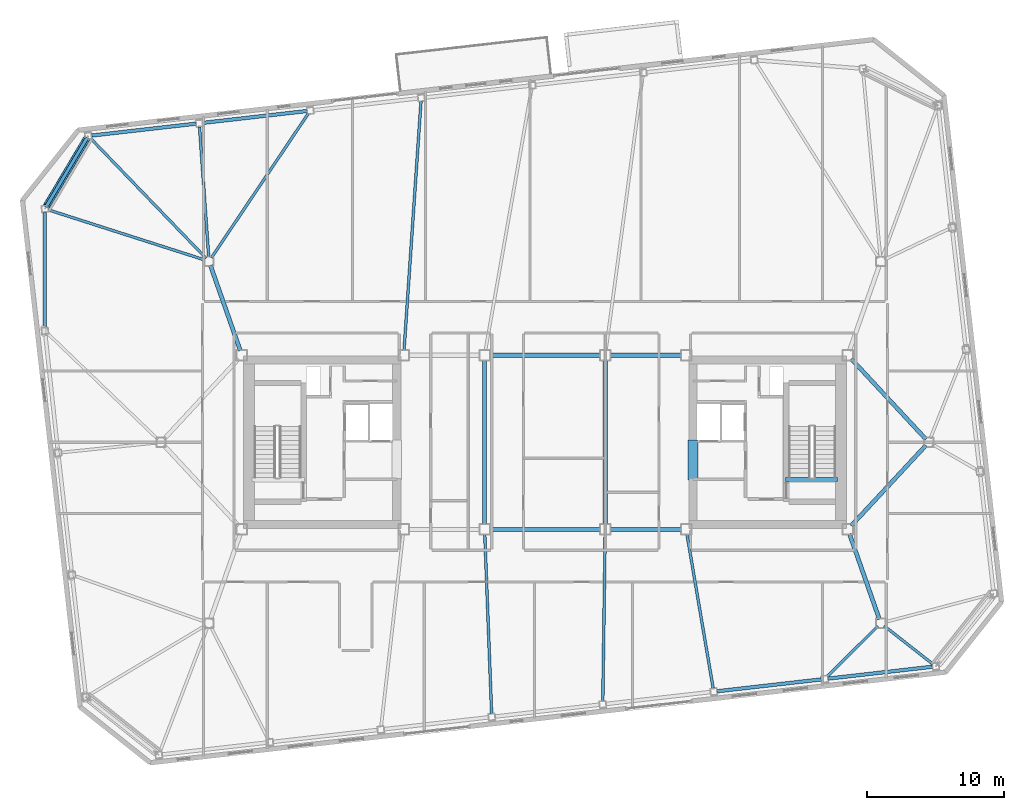
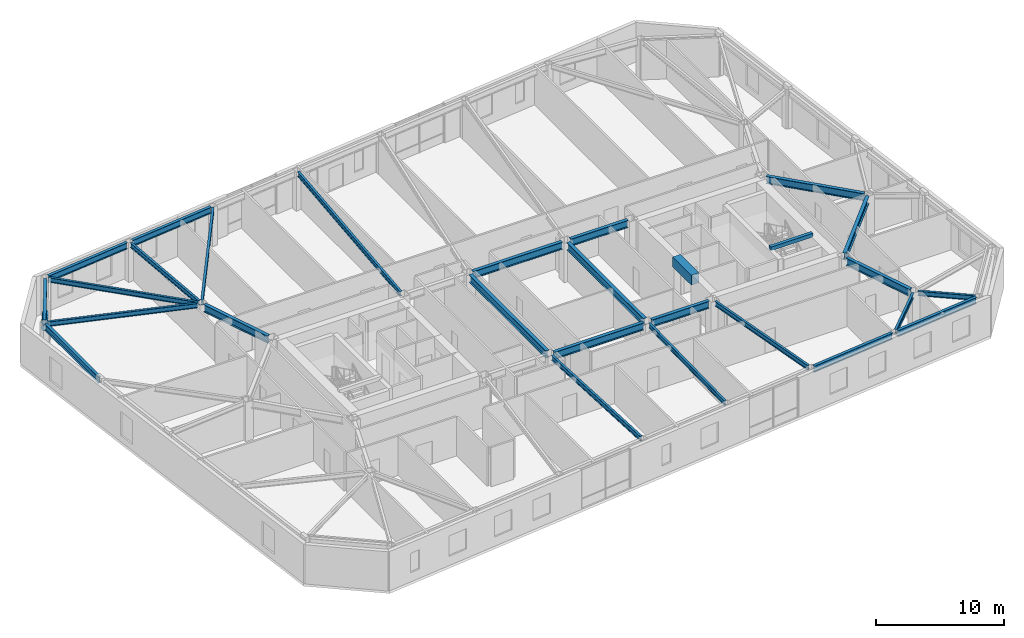
# One storey, part 7 of 20: 28 beams, 1 member.
"""IFC4 building model written with IfcOpenShell, lengths in metres."""

from ifc_helpers import new_model, si_unit, direction, frame, origin, origin_2d, place, context, subcontext, project, spatial, rectangle, hollow_circle, i_section, extrude, material, material_profile, profile_set, type_object, element, save


model = new_model("IFC4")

# Units and contexts
model_context = context("Model", 3, precision=1e-05, world=origin(), true_north=direction((0.0, 1.0)))
body_context = subcontext(model_context, "Body", "Model", "MODEL_VIEW")
ifc_project = project(units=[si_unit("LENGTHUNIT", "METRE"), si_unit("AREAUNIT", "SQUARE_METRE"), si_unit("VOLUMEUNIT", "CUBIC_METRE"), si_unit("PLANEANGLEUNIT", "RADIAN"), si_unit("MASSUNIT", "GRAM", prefix="KILO")], contexts=[model_context])

# Site, building, storey
site_placement = place(None, origin())
site = spatial("IfcSite", under=ifc_project, at=site_placement, CompositionType="ELEMENT")
building_placement = place(site_placement, origin())
building = spatial("IfcBuilding", under=site, at=building_placement, Name="Tavrogorsk Clinical Tower", CompositionType="ELEMENT")
storey_placement = place(building_placement, frame((0.0, 0.0, 251.0)))
storey = spatial("IfcBuildingStorey", under=building, at=storey_placement, Name="L58", CompositionType="ELEMENT", Elevation=251.0)

# Beam
ifc_material_1 = material(Name="Concrete B80", Category="concrete")
ifc_material_profile_1 = material_profile(ifc_material_1, rectangle(XDim=0.699951171875, YDim=0.949951171875, at=origin_2d()), Name="RC-CB-700x950")
ifc_profile_set_1 = profile_set([ifc_material_profile_1], Name="Concrete B80")
beam_type_1 = type_object("IfcBeamType", Name="CouplingBeam_RC700x950", PredefinedType="LINTEL", material=ifc_profile_set_1)
beam_1_placement = place(storey_placement, frame((10.800048828125, -2.75, 3.264892578125), z_axis=(0.0, 1.0, 0.0), x_axis=(-1.0, 0.0, 0.0)))
element("IfcBeam", 1, at=beam_1_placement, inside=storey, type_object=beam_type_1, Name="L58 Core East Coupling Beam", PredefinedType="LINTEL", context=body_context, shape_type="SweptSolid", body=[
    extrude(rectangle(XDim=0.699951171875, YDim=0.949951171875, at=origin_2d()), origin(), (0.0, 0.0, 1.0), 2.89990234375),
])

# Member
ifc_material_2 = material(Name="Structural steel S440", Category="steel")
ifc_material_profile_2 = material_profile(ifc_material_2, hollow_circle(Radius=0.25390625, WallThickness=0.02001953125, at=origin_2d()), Name="CHS-508x20")
ifc_profile_set_2 = profile_set([ifc_material_profile_2], Name="Structural steel S440")
member_type = type_object("IfcMemberType", Name="ExoBrace_CHS508", PredefinedType="BRACE", material=ifc_profile_set_2)
member_placement = place(storey_placement, frame((-33.428955078125, 22.143310546875, 0.40625), z_axis=(-0.466115044739, -0.783286774864, 0.411337566228), x_axis=(0.859354157364, -0.511380907173, 0.0)))
element("IfcMember", 2, at=member_placement, inside=storey, type_object=member_type, Name="L58 Corner Exoskeleton Brace N8-W1", PredefinedType="BRACE", context=body_context, shape_type="SweptSolid", body=[
    extrude(hollow_circle(Radius=0.25390625, WallThickness=0.02001953125, at=origin_2d()), origin(), (0.0, 0.0, 1.0), 6.266357421875),
])

# Beams
ifc_material_3 = material(Name="Structural steel S355", Category="steel")
ifc_material_profile_3 = material_profile(ifc_material_3, i_section(OverallWidth=0.199951171875, OverallDepth=0.449951171875, WebThickness=0.011474609375, FlangeThickness=0.01806640625, at=origin_2d()), Name="B-450x200x11.5x18")
ifc_profile_set_3 = profile_set([ifc_material_profile_3], Name="Structural steel S355")
beam_type_2 = type_object("IfcBeamType", Name="FloorBeam_B450", PredefinedType="BEAM", material=ifc_profile_set_3)
beam_2_placement = place(storey_placement, frame((-4.38623046875, -6.709716796875, 3.514892578125), z_axis=(0.038253158264, -0.999268080088, 0.0), x_axis=(0.999268080088, 0.038253158264, 0.0)))
element("IfcBeam", 3, at=beam_2_placement, inside=storey, type_object=beam_type_2, Name="L58 Radial Floor Beam S4", PredefinedType="BEAM", context=body_context, shape_type="SweptSolid", body=[
    extrude(i_section(OverallWidth=0.199951171875, OverallDepth=0.449951171875, WebThickness=0.011474609375, FlangeThickness=0.01806640625, at=origin_2d()), origin(), (0.0, 0.0, 1.0), 13.0771484375),
])
beam_3_placement = place(storey_placement, frame((4.39501953125, -6.7099609375, 3.514892578125), z_axis=(-0.014110566079, -0.999900441006, 0.0), x_axis=(0.999900441006, -0.014110566079, 0.0)))
element("IfcBeam", 4, at=beam_3_placement, inside=storey, type_object=beam_type_2, Name="L58 Radial Floor Beam S5", PredefinedType="BEAM", context=body_context, shape_type="SweptSolid", body=[
    extrude(i_section(OverallWidth=0.199951171875, OverallDepth=0.449951171875, WebThickness=0.011474609375, FlangeThickness=0.01806640625, at=origin_2d()), origin(), (0.0, 0.0, 1.0), 12.14599609375),
])
beam_4_placement = place(storey_placement, frame((10.3603515625, -6.704833984375, 3.514892578125), z_axis=(0.167876447446, -0.98580804338, 0.0), x_axis=(0.98580804338, 0.167876447446, 0.0)))
element("IfcBeam", 5, at=beam_4_placement, inside=storey, type_object=beam_type_2, Name="L58 Radial Floor Beam S6", PredefinedType="BEAM", context=body_context, shape_type="SweptSolid", body=[
    extrude(i_section(OverallWidth=0.199951171875, OverallDepth=0.449951171875, WebThickness=0.011474609375, FlangeThickness=0.01806640625, at=origin_2d()), origin(), (0.0, 0.0, 1.0), 11.392822265625),
])
beam_5_placement = place(storey_placement, frame((24.2802734375, -13.418701171875, 3.514892578125), z_axis=(-0.708842234901, -0.705367057652, 0.0), x_axis=(0.705367057652, -0.708842234901, 0.0)))
element("IfcBeam", 6, at=beam_5_placement, inside=storey, type_object=beam_type_2, Name="L58 Radial Floor Beam S7", PredefinedType="BEAM", context=body_context, shape_type="SweptSolid", body=[
    extrude(i_section(OverallWidth=0.199951171875, OverallDepth=0.449951171875, WebThickness=0.011474609375, FlangeThickness=0.01806640625, at=origin_2d()), origin(), (0.0, 0.0, 1.0), 5.19873046875),
])
beam_6_placement = place(storey_placement, frame((24.743896484375, -13.391357421875, 3.514892578125), z_axis=(0.786731711527, -0.617295078611, 0.0), x_axis=(0.617295078611, 0.786731711527, 0.0)))
element("IfcBeam", 7, at=beam_6_placement, inside=storey, type_object=beam_type_2, Name="L58 Radial Floor Beam S8", PredefinedType="BEAM", context=body_context, shape_type="SweptSolid", body=[
    extrude(i_section(OverallWidth=0.199951171875, OverallDepth=0.449951171875, WebThickness=0.011474609375, FlangeThickness=0.01806640625, at=origin_2d()), origin(), (0.0, 0.0, 1.0), 4.52734375),
])
beam_7_placement = place(storey_placement, frame((-10.275390625, 6.709228515625, 3.514892578125), z_axis=(0.068054861188, 0.9976815804, 0.0), x_axis=(-0.9976815804, 0.068054861188, 0.0)))
element("IfcBeam", 8, at=beam_7_placement, inside=storey, type_object=beam_type_2, Name="L58 Radial Floor Beam N5", PredefinedType="BEAM", context=body_context, shape_type="SweptSolid", body=[
    extrude(i_section(OverallWidth=0.199951171875, OverallDepth=0.449951171875, WebThickness=0.011474609375, FlangeThickness=0.01806640625, at=origin_2d()), origin(), (0.0, 0.0, 1.0), 18.188232421875),
])
beam_8_placement = place(storey_placement, frame((-24.3271484375, 13.457275390625, 3.514892578125), z_axis=(0.557666552953, 0.830065067159, 0.0), x_axis=(-0.830065067159, 0.557666552953, 0.0)))
element("IfcBeam", 9, at=beam_8_placement, inside=storey, type_object=beam_type_2, Name="L58 Radial Floor Beam N6", PredefinedType="BEAM", context=body_context, shape_type="SweptSolid", body=[
    extrude(i_section(OverallWidth=0.199951171875, OverallDepth=0.449951171875, WebThickness=0.011474609375, FlangeThickness=0.01806640625, at=origin_2d()), origin(), (0.0, 0.0, 1.0), 12.67236328125),
])
beam_9_placement = place(storey_placement, frame((-24.52197265625, 13.50927734375, 3.514892578125), z_axis=(-0.070563956086, 0.997507257167, 0.0), x_axis=(-0.997507257167, -0.070563956086, 0.0)))
element("IfcBeam", 10, at=beam_9_placement, inside=storey, type_object=beam_type_2, Name="L58 Radial Floor Beam N7", PredefinedType="BEAM", context=body_context, shape_type="SweptSolid", body=[
    extrude(i_section(OverallWidth=0.199951171875, OverallDepth=0.449951171875, WebThickness=0.011474609375, FlangeThickness=0.01806640625, at=origin_2d()), origin(), (0.0, 0.0, 1.0), 9.52490234375),
])
beam_10_placement = place(storey_placement, frame((-24.715087890625, 13.42333984375, 3.514892578125), z_axis=(-0.69371826835, 0.720246460704, 0.0), x_axis=(-0.720246460704, -0.69371826835, 0.0)))
element("IfcBeam", 11, at=beam_10_placement, inside=storey, type_object=beam_type_2, Name="L58 Radial Floor Beam N8", PredefinedType="BEAM", context=body_context, shape_type="SweptSolid", body=[
    extrude(i_section(OverallWidth=0.199951171875, OverallDepth=0.449951171875, WebThickness=0.011474609375, FlangeThickness=0.01806640625, at=origin_2d()), origin(), (0.0, 0.0, 1.0), 12.129638671875),
])
beam_11_placement = place(storey_placement, frame((-24.795166015625, 13.29443359375, 3.514892578125), z_axis=(-0.952367912824, 0.304951403709, 0.0), x_axis=(-0.304951403709, -0.952367912824, 0.0)))
element("IfcBeam", 12, at=beam_11_placement, inside=storey, type_object=beam_type_2, Name="L58 Radial Floor Beam W1", PredefinedType="BEAM", context=body_context, shape_type="SweptSolid", body=[
    extrude(i_section(OverallWidth=0.199951171875, OverallDepth=0.449951171875, WebThickness=0.011474609375, FlangeThickness=0.01806640625, at=origin_2d()), origin(), (0.0, 0.0, 1.0), 12.000732421875),
])
ifc_material_4 = material(Name="Structural steel S390", Category="steel")
ifc_material_profile_4 = material_profile(ifc_material_4, i_section(OverallWidth=0.300048828125, OverallDepth=0.699951171875, WebThickness=0.01708984375, FlangeThickness=0.028076171875, at=origin_2d()), Name="B-700x300x17x28")
ifc_profile_set_4 = profile_set([ifc_material_profile_4], Name="Structural steel S390")
beam_type_3 = type_object("IfcBeamType", Name="PrimaryGirder_B700", PredefinedType="USERDEFINED", material=ifc_profile_set_4)
for number, where, z_axis, x_axis, name in (
    (13, (-4.0400390625, -6.35009765625, 3.389892578125), (1.0, 0.0, 0.0), (0.0, 1.0, 0.0), "L58 Primary Spine Girder MG-03"),
    (14, (-4.0400390625, 6.35009765625, 3.389892578125), (1.0, 0.0, 0.0), (0.0, 1.0, 0.0), "L58 Primary Spine Girder MG-04"),
):
    element("IfcBeam", number, at=place(storey_placement, frame(where, z_axis=z_axis, x_axis=x_axis)), inside=storey, type_object=beam_type_3, Name=name, ObjectType="GIRDER", PredefinedType="USERDEFINED", context=body_context, shape_type="SweptSolid", body=[
        extrude(i_section(OverallWidth=0.300048828125, OverallDepth=0.699951171875, WebThickness=0.01708984375, FlangeThickness=0.028076171875, at=origin_2d()), origin(), (0.0, 0.0, 1.0), 8.080078125),
    ])
for number, where, z_axis, x_axis, name in (
    (15, (4.760009765625, -6.35009765625, 3.389892578125), (1.0, 0.0, 0.0), (0.0, 1.0, 0.0), "L58 Primary Spine Girder MG-05"),
    (16, (4.760009765625, 6.35009765625, 3.389892578125), (1.0, 0.0, 0.0), (0.0, 1.0, 0.0), "L58 Primary Spine Girder MG-06"),
):
    element("IfcBeam", number, at=place(storey_placement, frame(where, z_axis=z_axis, x_axis=x_axis)), inside=storey, type_object=beam_type_3, Name=name, ObjectType="GIRDER", PredefinedType="USERDEFINED", context=body_context, shape_type="SweptSolid", body=[
        extrude(i_section(OverallWidth=0.300048828125, OverallDepth=0.699951171875, WebThickness=0.01708984375, FlangeThickness=0.028076171875, at=origin_2d()), origin(), (0.0, 0.0, 1.0), 5.179931640625),
    ])
for number, where, z_axis, x_axis, name in (
    (17, (-4.39990234375, -5.989990234375, 3.389892578125), (0.0, 1.0, 0.0), (-1.0, 0.0, 0.0), "L58 Primary Spine Girder MG-07"),
    (18, (4.39990234375, -5.989990234375, 3.389892578125), (0.0, 1.0, 0.0), (-1.0, 0.0, 0.0), "L58 Primary Spine Girder MG-08"),
):
    element("IfcBeam", number, at=place(storey_placement, frame(where, z_axis=z_axis, x_axis=x_axis)), inside=storey, type_object=beam_type_3, Name=name, ObjectType="GIRDER", PredefinedType="USERDEFINED", context=body_context, shape_type="SweptSolid", body=[
        extrude(i_section(OverallWidth=0.300048828125, OverallDepth=0.699951171875, WebThickness=0.01708984375, FlangeThickness=0.028076171875, at=origin_2d()), origin(), (0.0, 0.0, 1.0), 11.97998046875),
    ])
for number, where, z_axis, x_axis, name in (
    (19, (24.3974609375, -12.907470703125, 3.389892578125), (-0.330654121425, 0.943752007672, 0.0), (-0.943752007672, -0.330654121425, 0.0), "L58 Spine Link Girder OPG-2"),
    (20, (-24.3974609375, 12.907470703125, 3.389892578125), (0.330654121425, -0.943752007672, 0.0), (0.943752007672, 0.330654121425, 0.0), "L58 Spine Link Girder OPG-3"),
):
    element("IfcBeam", number, at=place(storey_placement, frame(where, z_axis=z_axis, x_axis=x_axis)), inside=storey, type_object=beam_type_3, Name=name, ObjectType="GIRDER", PredefinedType="USERDEFINED", context=body_context, shape_type="SweptSolid", body=[
        extrude(i_section(OverallWidth=0.300048828125, OverallDepth=0.699951171875, WebThickness=0.01708984375, FlangeThickness=0.028076171875, at=origin_2d()), origin(), (0.0, 0.0, 1.0), 6.58837890625),
    ])
for number, where, z_axis, x_axis, name in (
    (21, (27.7890625, -0.22705078125, 3.389892578125), (-0.680684060959, -0.732577101168, 0.0), (0.732577101168, -0.680684060959, 0.0), "L58 Spine Link Girder OPG-7"),
    (22, (27.7890625, 0.22705078125, 3.389892578125), (-0.680684060959, 0.732577101168, 0.0), (-0.732577101168, -0.680684060959, 0.0), "L58 Spine Link Girder OPG-8"),
):
    element("IfcBeam", number, at=place(storey_placement, frame(where, z_axis=z_axis, x_axis=x_axis)), inside=storey, type_object=beam_type_3, Name=name, ObjectType="GIRDER", PredefinedType="USERDEFINED", context=body_context, shape_type="SweptSolid", body=[
        extrude(i_section(OverallWidth=0.300048828125, OverallDepth=0.699951171875, WebThickness=0.01708984375, FlangeThickness=0.028076171875, at=origin_2d()), origin(), (0.0, 0.0, 1.0), 7.998046875),
    ])
ifc_material_5 = material(Name="Structural steel S390", Category="steel")
ifc_material_profile_5 = material_profile(ifc_material_5, i_section(OverallWidth=0.260009765625, OverallDepth=0.60009765625, WebThickness=0.014892578125, FlangeThickness=0.02392578125, at=origin_2d()), Name="B-600x260x15x24")
ifc_profile_set_5 = profile_set([ifc_material_profile_5], Name="Structural steel S390")
beam_type_4 = type_object("IfcBeamType", Name="SpandrelBeam_B600", PredefinedType="SPANDREL", material=ifc_profile_set_5)
beam_12_placement = place(storey_placement, frame((12.57275390625, -18.1611328125, 3.43994140625), z_axis=(0.993571689921, 0.113204668576, 0.0), x_axis=(-0.113204668576, 0.993571689921, 0.0)))
element("IfcBeam", 23, at=beam_12_placement, inside=storey, type_object=beam_type_4, Name="L58 Perimeter Spandrel S6-S7", PredefinedType="SPANDREL", context=body_context, shape_type="SweptSolid", body=[
    extrude(i_section(OverallWidth=0.260009765625, OverallDepth=0.60009765625, WebThickness=0.014892578125, FlangeThickness=0.02392578125, at=origin_2d()), origin(), (0.0, 0.0, 1.0), 7.63232421875),
])
for number, where, z_axis, x_axis, name in (
    (24, (20.668701171875, -17.238525390625, 3.43994140625), (0.993572099834, 0.113201070804, 0.0), (-0.113201070804, 0.993572099834, 0.0), "L58 Perimeter Spandrel S7-S8"),
    (25, (-17.37255859375, 24.1611328125, 3.43994140625), (-0.993572099834, -0.113201070804, 0.0), (0.113201070804, -0.993572099834, 0.0), "L58 Perimeter Spandrel N6-N7"),
    (26, (-25.46875, 23.238525390625, 3.43994140625), (-0.993572099834, -0.113201070804, 0.0), (0.113201070804, -0.993572099834, 0.0), "L58 Perimeter Spandrel N7-N8"),
):
    element("IfcBeam", number, at=place(storey_placement, frame(where, z_axis=z_axis, x_axis=x_axis)), inside=storey, type_object=beam_type_4, Name=name, PredefinedType="SPANDREL", context=body_context, shape_type="SweptSolid", body=[
        extrude(i_section(OverallWidth=0.260009765625, OverallDepth=0.60009765625, WebThickness=0.014892578125, FlangeThickness=0.02392578125, at=origin_2d()), origin(), (0.0, 0.0, 1.0), 7.632568359375),
    ])
beam_13_placement = place(storey_placement, frame((-33.4404296875, 22.123779296875, 3.43994140625), z_axis=(-0.51140659222, -0.859338872293, 0.0), x_axis=(0.859338872293, -0.51140659222, 0.0)))
element("IfcBeam", 27, at=beam_13_placement, inside=storey, type_object=beam_type_4, Name="L58 Perimeter Spandrel N8-W1", PredefinedType="SPANDREL", context=body_context, shape_type="SweptSolid", body=[
    extrude(i_section(OverallWidth=0.260009765625, OverallDepth=0.60009765625, WebThickness=0.014892578125, FlangeThickness=0.02392578125, at=origin_2d()), origin(), (0.0, 0.0, 1.0), 5.666259765625),
])
beam_14_placement = place(storey_placement, frame((-36.469970703125, 16.77490234375, 3.43994140625), z_axis=(0.0, -1.0, 0.0), x_axis=(1.0, 0.0, 0.0)))
element("IfcBeam", 28, at=beam_14_placement, inside=storey, type_object=beam_type_4, Name="L58 Perimeter Spandrel W1-W2", PredefinedType="SPANDREL", context=body_context, shape_type="SweptSolid", body=[
    extrude(i_section(OverallWidth=0.260009765625, OverallDepth=0.60009765625, WebThickness=0.014892578125, FlangeThickness=0.02392578125, at=origin_2d()), origin(), (0.0, 0.0, 1.0), 8.386474609375),
])
ifc_material_6 = material(Name="Concrete B60", Category="concrete")
ifc_material_profile_6 = material_profile(ifc_material_6, rectangle(XDim=0.300048828125, YDim=0.35009765625, at=origin_2d()), Name="RC-SHB-300x350")
ifc_profile_set_6 = profile_set([ifc_material_profile_6], Name="Concrete B60")
beam_type_5 = type_object("IfcBeamType", Name="StairHeaderBeam_RC300x350", PredefinedType="BEAM", material=ifc_profile_set_6)
beam_15_placement = place(storey_placement, frame((17.550048828125, -2.719970703125, 3.824951171875), z_axis=(1.0, 0.0, 0.0), x_axis=(0.0, 1.0, 0.0)))
element("IfcBeam", 29, at=beam_15_placement, inside=storey, type_object=beam_type_5, Name="L59 ST-E Landing Header Beam", PredefinedType="BEAM", context=body_context, shape_type="SweptSolid", body=[
    extrude(rectangle(XDim=0.300048828125, YDim=0.35009765625, at=origin_2d()), origin(), (0.0, 0.0, 1.0), 3.800048828125),
])

save(model, "model.ifc")
